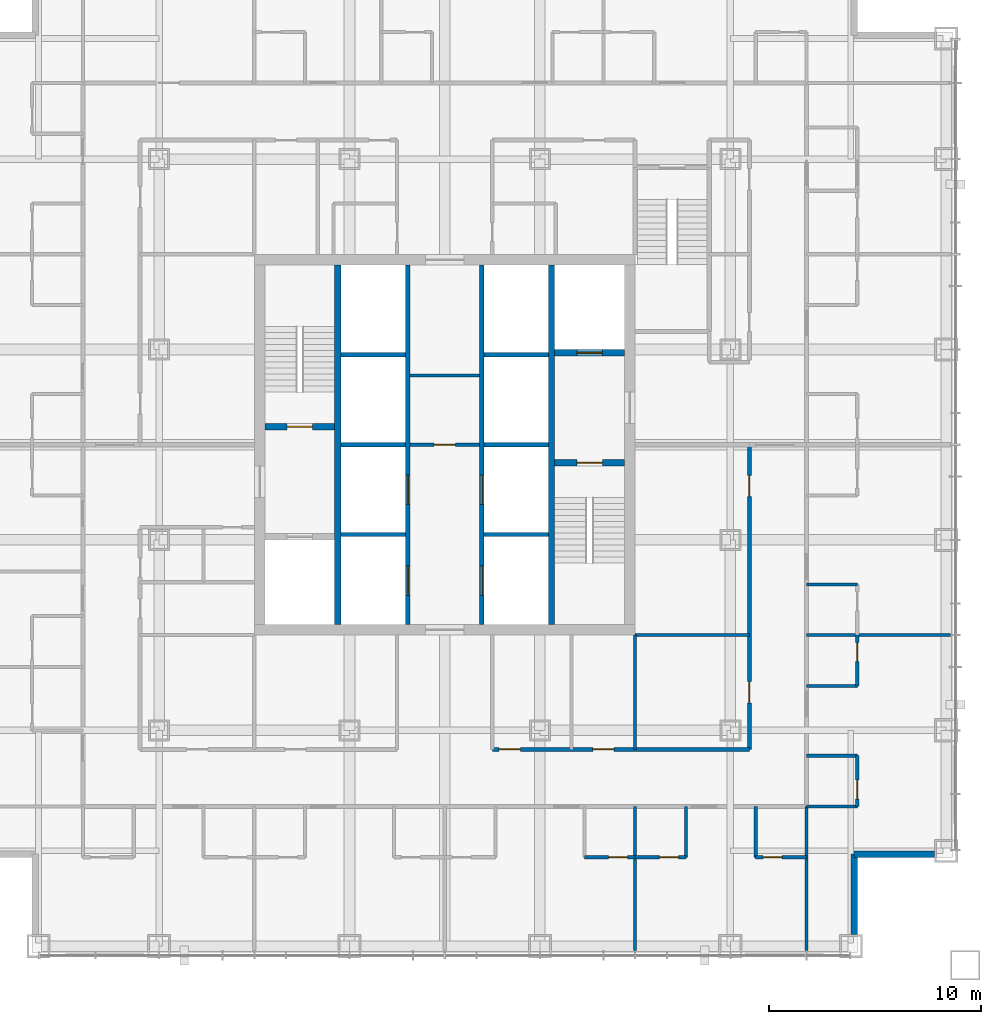
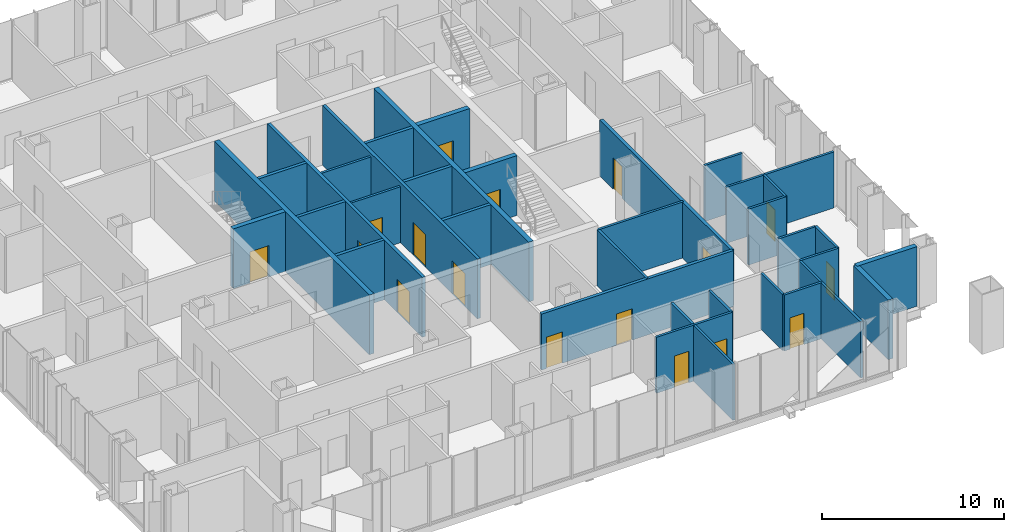
# One storey, part 10 of 14: 35 walls, 17 doors, 17 openings.
"""IFC4 building model written with IfcOpenShell, lengths in metres."""

from ifc_helpers import new_model, si_unit, direction, frame, frame_2d, origin, place, context, subcontext, project, spatial, rectangle, extrude, material, layer, layer_set, type_object, element, fill, save


model = new_model("IFC4")

# Units and contexts
model_context = context("Model", 3, precision=1e-05, world=origin(), true_north=direction((0.0, 1.0)))
body_context = subcontext(model_context, "Body", "Model", "MODEL_VIEW")
ifc_project = project(units=[si_unit("LENGTHUNIT", "METRE"), si_unit("AREAUNIT", "SQUARE_METRE"), si_unit("VOLUMEUNIT", "CUBIC_METRE"), si_unit("PLANEANGLEUNIT", "RADIAN"), si_unit("MASSUNIT", "GRAM", prefix="KILO")], contexts=[model_context])

# Site, building, storey
site_placement = place(None, origin())
site = spatial("IfcSite", under=ifc_project, at=site_placement, CompositionType="ELEMENT")
building_placement = place(site_placement, origin())
building = spatial("IfcBuilding", under=site, at=building_placement, Name="Malebo Sky Hospital", CompositionType="ELEMENT")
storey_placement = place(building_placement, frame((0.0, 0.0, 164.0)))
storey = spatial("IfcBuildingStorey", under=building, at=storey_placement, Name="L39", CompositionType="ELEMENT", Elevation=164.0)

# Wall, openings, doors
ifc_material_1 = material(Name="Concrete C80/95", Category="concrete")
ifc_layer_1 = layer(ifc_material_1, 0.199951171875)
ifc_layer_set_1 = layer_set([ifc_layer_1], Name="CORE INNER WALL 200")
wall_type_1 = type_object("IfcWallType", Name="CORE INNER WALL 200", PredefinedType="SHEAR", material=ifc_layer_set_1)
wall_1_placement = place(storey_placement, frame((58.25, 53.5, 0.0), z_axis=(0.0, 0.0, 1.0), x_axis=(0.0, 1.0, 0.0)))
wall_1 = element("IfcWall", 1, at=wall_1_placement, inside=storey, type_object=wall_type_1, Name="Core wall LW L39", PredefinedType="SHEAR", context=body_context, shape_type="SweptSolid", body=[
    extrude(rectangle(XDim=17.0, YDim=0.199951171875, at=frame_2d((8.5, 0.0))), origin(), (0.0, 0.0, 1.0), 4.0),
])
opening_1_placement = place(wall_1_placement, frame((1.375, 0.0, 0.0)))
opening_1 = element("IfcOpeningElement", 2, at=opening_1_placement, cuts=wall_1, Name="Opening LD1", PredefinedType="OPENING", context=body_context, shape_type="SweptSolid", body=[
    extrude(rectangle(XDim=1.39990234375, YDim=2.199951171875, at=frame_2d((0.699951171875, 1.10009765625))), frame((0.0, 0.10986328125, 0.0), z_axis=(0.0, -1.0, 0.0), x_axis=(1.0, 0.0, 0.0)), (0.0, 0.0, 1.0), 0.219970703125),
])
opening_2_placement = place(wall_1_placement, frame((5.675048828125, 0.0, 0.0)))
opening_2 = element("IfcOpeningElement", 3, at=opening_2_placement, cuts=wall_1, Name="Opening LD1", PredefinedType="OPENING", context=body_context, shape_type="SweptSolid", body=[
    extrude(rectangle(XDim=1.39990234375, YDim=2.199951171875, at=frame_2d((0.699951171875, 1.10009765625))), frame((0.0, 0.10986328125, 0.0), z_axis=(0.0, -1.0, 0.0), x_axis=(1.0, 0.0, 0.0)), (0.0, 0.0, 1.0), 0.219970703125),
])
ifc_material_2 = material(Name="Stainless steel sliding landing door", Category="steel")
door_type_1 = type_object("IfcDoorType", Name="LIFT LANDING DOOR 1400", OperationType="SLIDING_TO_LEFT", PredefinedType="DOOR", material=ifc_material_2)
door_1_placement = place(opening_1_placement, origin())
door_1 = element("IfcDoor", 4, at=door_1_placement, inside=storey, type_object=door_type_1, Name="Lift W1 landing door", OperationType="SLIDING_TO_LEFT", OverallHeight=2.199951171875, OverallWidth=1.39990234375, PredefinedType="DOOR", context=body_context, shape_type="SweptSolid", body=[
    extrude(rectangle(XDim=1.39990234375, YDim=2.199951171875, at=frame_2d((0.699951171875, 1.10009765625))), frame((0.0, 0.02490234375, 0.0), z_axis=(0.0, -1.0, 0.0), x_axis=(1.0, 0.0, 0.0)), (0.0, 0.0, 1.0), 0.050048828125),
])
fill(opening_1, door_1)
door_2_placement = place(opening_2_placement, origin())
door_2 = element("IfcDoor", 5, at=door_2_placement, inside=storey, type_object=door_type_1, Name="Lift W2 landing door", OperationType="SLIDING_TO_LEFT", OverallHeight=2.199951171875, OverallWidth=1.39990234375, PredefinedType="DOOR", context=body_context, shape_type="SweptSolid", body=[
    extrude(rectangle(XDim=1.39990234375, YDim=2.199951171875, at=frame_2d((0.699951171875, 1.10009765625))), frame((0.0, 0.02490234375, 0.0), z_axis=(0.0, -1.0, 0.0), x_axis=(1.0, 0.0, 0.0)), (0.0, 0.0, 1.0), 0.050048828125),
])
fill(opening_2, door_2)

wall_2_placement = place(storey_placement, frame((61.75, 53.5, 0.0), z_axis=(0.0, 0.0, 1.0), x_axis=(0.0, 1.0, 0.0)))
wall_2 = element("IfcWall", 6, at=wall_2_placement, inside=storey, type_object=wall_type_1, Name="Core wall LE L39", PredefinedType="SHEAR", context=body_context, shape_type="SweptSolid", body=[
    extrude(rectangle(XDim=17.0, YDim=0.199951171875, at=frame_2d((8.5, 0.0))), origin(), (0.0, 0.0, 1.0), 4.0),
])
opening_3_placement = place(wall_2_placement, frame((1.375, 0.0, 0.0)))
opening_3 = element("IfcOpeningElement", 7, at=opening_3_placement, cuts=wall_2, Name="Opening LD1", PredefinedType="OPENING", context=body_context, shape_type="SweptSolid", body=[
    extrude(rectangle(XDim=1.39990234375, YDim=2.199951171875, at=frame_2d((0.699951171875, 1.10009765625))), frame((0.0, 0.10986328125, 0.0), z_axis=(0.0, -1.0, 0.0), x_axis=(1.0, 0.0, 0.0)), (0.0, 0.0, 1.0), 0.219970703125),
])
opening_4_placement = place(wall_2_placement, frame((5.675048828125, 0.0, 0.0)))
opening_4 = element("IfcOpeningElement", 8, at=opening_4_placement, cuts=wall_2, Name="Opening LD1", PredefinedType="OPENING", context=body_context, shape_type="SweptSolid", body=[
    extrude(rectangle(XDim=1.39990234375, YDim=2.199951171875, at=frame_2d((0.699951171875, 1.10009765625))), frame((0.0, 0.10986328125, 0.0), z_axis=(0.0, -1.0, 0.0), x_axis=(1.0, 0.0, 0.0)), (0.0, 0.0, 1.0), 0.219970703125),
])
door_3_placement = place(opening_3_placement, origin())
door_3 = element("IfcDoor", 9, at=door_3_placement, inside=storey, type_object=door_type_1, Name="Lift E1 landing door", OperationType="SLIDING_TO_LEFT", OverallHeight=2.199951171875, OverallWidth=1.39990234375, PredefinedType="DOOR", context=body_context, shape_type="SweptSolid", body=[
    extrude(rectangle(XDim=1.39990234375, YDim=2.199951171875, at=frame_2d((0.699951171875, 1.10009765625))), frame((0.0, 0.02490234375, 0.0), z_axis=(0.0, -1.0, 0.0), x_axis=(1.0, 0.0, 0.0)), (0.0, 0.0, 1.0), 0.050048828125),
])
fill(opening_3, door_3)
door_4_placement = place(opening_4_placement, origin())
door_4 = element("IfcDoor", 10, at=door_4_placement, inside=storey, type_object=door_type_1, Name="Lift E2 landing door", OperationType="SLIDING_TO_LEFT", OverallHeight=2.199951171875, OverallWidth=1.39990234375, PredefinedType="DOOR", context=body_context, shape_type="SweptSolid", body=[
    extrude(rectangle(XDim=1.39990234375, YDim=2.199951171875, at=frame_2d((0.699951171875, 1.10009765625))), frame((0.0, 0.02490234375, 0.0), z_axis=(0.0, -1.0, 0.0), x_axis=(1.0, 0.0, 0.0)), (0.0, 0.0, 1.0), 0.050048828125),
])
fill(opening_4, door_4)

# Walls
for number, where, z_axis, x_axis, name in (
    (11, (55.10009765625, 57.75, 0.0), (0.0, 0.0, 1.0), (1.0, 0.0, 0.0), "Core wall SW0 L39"),
    (12, (61.85009765625, 57.75, 0.0), (0.0, 0.0, 1.0), (1.0, 0.0, 0.0), "Core wall SE0 L39"),
    (13, (55.10009765625, 62.0, 0.0), (0.0, 0.0, 1.0), (1.0, 0.0, 0.0), "Core wall SW1 L39"),
    (14, (61.85009765625, 62.0, 0.0), (0.0, 0.0, 1.0), (1.0, 0.0, 0.0), "Core wall SE1 L39"),
    (15, (55.10009765625, 66.25, 0.0), (0.0, 0.0, 1.0), (1.0, 0.0, 0.0), "Core wall SW2 L39"),
    (16, (61.85009765625, 66.25, 0.0), (0.0, 0.0, 1.0), (1.0, 0.0, 0.0), "Core wall SE2 L39"),
):
    element("IfcWall", number, at=place(storey_placement, frame(where, z_axis=z_axis, x_axis=x_axis)), inside=storey, type_object=wall_type_1, Name=name, PredefinedType="SHEAR", context=body_context, shape_type="SweptSolid", body=[
        extrude(rectangle(XDim=3.0498046875, YDim=0.199951171875, at=frame_2d((1.52490234375, 0.0))), origin(), (0.0, 0.0, 1.0), 4.0),
    ])
ifc_layer_2 = layer(ifc_material_1, 0.300048828125)
ifc_layer_set_2 = layer_set([ifc_layer_2], Name="CORE INNER WALL 300")
wall_type_2 = type_object("IfcWallType", Name="CORE INNER WALL 300", PredefinedType="SHEAR", material=ifc_layer_set_2)
for number, where, z_axis, x_axis, name in (
    (17, (54.949951171875, 53.5, 0.0), (0.0, 0.0, 1.0), (0.0, 1.0, 0.0), "Core wall XW L39"),
    (18, (65.050048828125, 53.5, 0.0), (0.0, 0.0, 1.0), (0.0, 1.0, 0.0), "Core wall XE L39"),
):
    element("IfcWall", number, at=place(storey_placement, frame(where, z_axis=z_axis, x_axis=x_axis)), inside=storey, type_object=wall_type_2, Name=name, PredefinedType="SHEAR", context=body_context, shape_type="SweptSolid", body=[
        extrude(rectangle(XDim=17.0, YDim=0.300048828125, at=frame_2d((8.5, 0.0))), origin(), (0.0, 0.0, 1.0), 4.0),
    ])

# Wall, opening, door
wall_3_placement = place(storey_placement, frame((51.5, 62.85009765625, 0.0), z_axis=(0.0, 0.0, 1.0), x_axis=(1.0, 0.0, 0.0)))
wall_3 = element("IfcWall", 19, at=wall_3_placement, inside=storey, type_object=wall_type_2, Name="Core wall W1 L39", PredefinedType="SHEAR", context=body_context, shape_type="SweptSolid", body=[
    extrude(rectangle(XDim=3.300048828125, YDim=0.300048828125, at=frame_2d((1.64990234375, 0.0))), origin(), (0.0, 0.0, 1.0), 4.0),
])
opening_5_placement = place(wall_3_placement, frame((1.050048828125, 0.0, 0.0)))
opening_5 = element("IfcOpeningElement", 20, at=opening_5_placement, cuts=wall_3, Name="Opening D08", PredefinedType="OPENING", context=body_context, shape_type="SweptSolid", body=[
    extrude(rectangle(XDim=1.199951171875, YDim=2.10009765625, at=frame_2d((0.60009765625, 1.050048828125))), frame((0.0, 0.159912109375, 0.0), z_axis=(0.0, -1.0, 0.0), x_axis=(1.0, 0.0, 0.0)), (0.0, 0.0, 1.0), 0.320068359375),
])
ifc_material_3 = material(Name="Hardwood-faced door leaf in steel frame", Category="steel")
door_type_2 = type_object("IfcDoorType", Name="STAIR DOOR 1200", OperationType="SINGLE_SWING_LEFT", PredefinedType="DOOR", material=ifc_material_3)
door_5_placement = place(opening_5_placement, origin())
door_5 = element("IfcDoor", 21, at=door_5_placement, inside=storey, type_object=door_type_2, Name="Stair S1 door", OperationType="SINGLE_SWING_LEFT", OverallHeight=2.10009765625, OverallWidth=1.199951171875, PredefinedType="DOOR", context=body_context, shape_type="SweptSolid", body=[
    extrude(rectangle(XDim=1.199951171875, YDim=2.10009765625, at=frame_2d((0.60009765625, 1.050048828125))), frame((0.0, 0.02490234375, 0.0), z_axis=(0.0, -1.0, 0.0), x_axis=(1.0, 0.0, 0.0)), (0.0, 0.0, 1.0), 0.050048828125),
])
fill(opening_5, door_5)

wall_4_placement = place(storey_placement, frame((65.199951171875, 61.14990234375, 0.0), z_axis=(0.0, 0.0, 1.0), x_axis=(1.0, 0.0, 0.0)))
wall_4 = element("IfcWall", 22, at=wall_4_placement, inside=storey, type_object=wall_type_2, Name="Core wall E1 L39", PredefinedType="SHEAR", context=body_context, shape_type="SweptSolid", body=[
    extrude(rectangle(XDim=3.300048828125, YDim=0.300048828125, at=frame_2d((1.64990234375, 0.0))), origin(), (0.0, 0.0, 1.0), 4.0),
])
opening_6_placement = place(wall_4_placement, frame((1.050048828125, 0.0, 0.0)))
opening_6 = element("IfcOpeningElement", 23, at=opening_6_placement, cuts=wall_4, Name="Opening D08", PredefinedType="OPENING", context=body_context, shape_type="SweptSolid", body=[
    extrude(rectangle(XDim=1.199951171875, YDim=2.10009765625, at=frame_2d((0.60009765625, 1.050048828125))), frame((0.0, 0.159912109375, 0.0), z_axis=(0.0, -1.0, 0.0), x_axis=(1.0, 0.0, 0.0)), (0.0, 0.0, 1.0), 0.320068359375),
])
door_6_placement = place(opening_6_placement, origin())
door_6 = element("IfcDoor", 24, at=door_6_placement, inside=storey, type_object=door_type_2, Name="Stair S2 door", OperationType="SINGLE_SWING_LEFT", OverallHeight=2.10009765625, OverallWidth=1.199951171875, PredefinedType="DOOR", context=body_context, shape_type="SweptSolid", body=[
    extrude(rectangle(XDim=1.199951171875, YDim=2.10009765625, at=frame_2d((0.60009765625, 1.050048828125))), frame((0.0, 0.02490234375, 0.0), z_axis=(0.0, -1.0, 0.0), x_axis=(1.0, 0.0, 0.0)), (0.0, 0.0, 1.0), 0.050048828125),
])
fill(opening_6, door_6)

wall_5_placement = place(storey_placement, frame((65.199951171875, 66.35009765625, 0.0), z_axis=(0.0, 0.0, 1.0), x_axis=(1.0, 0.0, 0.0)))
wall_5 = element("IfcWall", 25, at=wall_5_placement, inside=storey, type_object=wall_type_2, Name="Core wall E2 L39", PredefinedType="SHEAR", context=body_context, shape_type="SweptSolid", body=[
    extrude(rectangle(XDim=3.300048828125, YDim=0.300048828125, at=frame_2d((1.64990234375, 0.0))), origin(), (0.0, 0.0, 1.0), 4.0),
])
opening_7_placement = place(wall_5_placement, frame((1.050048828125, 0.0, 0.0)))
opening_7 = element("IfcOpeningElement", 26, at=opening_7_placement, cuts=wall_5, Name="Opening LD2", PredefinedType="OPENING", context=body_context, shape_type="SweptSolid", body=[
    extrude(rectangle(XDim=1.199951171875, YDim=2.199951171875, at=frame_2d((0.60009765625, 1.10009765625))), frame((0.0, 0.159912109375, 0.0), z_axis=(0.0, -1.0, 0.0), x_axis=(1.0, 0.0, 0.0)), (0.0, 0.0, 1.0), 0.320068359375),
])
door_type_3 = type_object("IfcDoorType", Name="FIRE-FIGHTING LIFT LANDING DOOR 1200", OperationType="SLIDING_TO_LEFT", PredefinedType="DOOR", material=ifc_material_2)
door_7_placement = place(opening_7_placement, origin())
door_7 = element("IfcDoor", 27, at=door_7_placement, inside=storey, type_object=door_type_3, Name="Lift FL2 landing door", OperationType="SLIDING_TO_LEFT", OverallHeight=2.199951171875, OverallWidth=1.199951171875, PredefinedType="DOOR", context=body_context, shape_type="SweptSolid", body=[
    extrude(rectangle(XDim=1.199951171875, YDim=2.199951171875, at=frame_2d((0.60009765625, 1.10009765625))), frame((0.0, 0.02490234375, 0.0), z_axis=(0.0, -1.0, 0.0), x_axis=(1.0, 0.0, 0.0)), (0.0, 0.0, 1.0), 0.050048828125),
])
fill(opening_7, door_7)

# Wall, openings, doors
ifc_material_4 = material(Name="Gypsum board on steel studs", Category="steel")
ifc_layer_3 = layer(ifc_material_4, 0.199951171875)
ifc_layer_set_3 = layer_set([ifc_layer_3], Name="CORRIDOR WALL 200")
wall_type_3 = type_object("IfcWallType", Name="CORRIDOR WALL 200", PredefinedType="PARTITIONING", material=ifc_layer_set_3)
wall_6_placement = place(storey_placement, frame((74.39990234375, 47.60009765625, 0.0), z_axis=(0.0, 0.0, 1.0), x_axis=(-1.0, 0.0, 0.0)))
wall_6 = element("IfcWall", 28, at=wall_6_placement, inside=storey, type_object=wall_type_3, Name="Corridor Wall 200 SCI1", PredefinedType="PARTITIONING", context=body_context, shape_type="SweptSolid", body=[
    extrude(rectangle(XDim=12.14990234375, YDim=0.199951171875, at=frame_2d((6.074951171875, 0.0))), origin(), (0.0, 0.0, 1.0), 3.75),
])
opening_8_placement = place(wall_6_placement, frame((6.39990234375, 0.0, 0.0)))
opening_8 = element("IfcOpeningElement", 29, at=opening_8_placement, cuts=wall_6, Name="Opening D03", PredefinedType="OPENING", context=body_context, shape_type="SweptSolid", body=[
    extrude(rectangle(XDim=1.0, YDim=2.10009765625, at=frame_2d((0.5, 1.050048828125))), frame((0.0, 0.10986328125, 0.0), z_axis=(0.0, -1.0, 0.0), x_axis=(1.0, 0.0, 0.0)), (0.0, 0.0, 1.0), 0.219970703125),
])
opening_9_placement = place(wall_6_placement, frame((10.824951171875, 0.0, 0.0)))
opening_9 = element("IfcOpeningElement", 30, at=opening_9_placement, cuts=wall_6, Name="Opening D03", PredefinedType="OPENING", context=body_context, shape_type="SweptSolid", body=[
    extrude(rectangle(XDim=1.0, YDim=2.10009765625, at=frame_2d((0.5, 1.050048828125))), frame((0.0, 0.10986328125, 0.0), z_axis=(0.0, -1.0, 0.0), x_axis=(1.0, 0.0, 0.0)), (0.0, 0.0, 1.0), 0.219970703125),
])
door_type_4 = type_object("IfcDoorType", Name="ROOM DOOR 1000", OperationType="SINGLE_SWING_LEFT", PredefinedType="DOOR", material=ifc_material_3)
door_8_placement = place(opening_8_placement, origin())
door_8 = element("IfcDoor", 31, at=door_8_placement, inside=storey, type_object=door_type_4, Name="Clean utility room door", OperationType="SINGLE_SWING_LEFT", OverallHeight=2.10009765625, OverallWidth=1.0, PredefinedType="DOOR", context=body_context, shape_type="SweptSolid", body=[
    extrude(rectangle(XDim=1.0, YDim=2.10009765625, at=frame_2d((0.5, 1.050048828125))), frame((0.0, 0.02490234375, 0.0), z_axis=(0.0, -1.0, 0.0), x_axis=(1.0, 0.0, 0.0)), (0.0, 0.0, 1.0), 0.050048828125),
])
fill(opening_8, door_8)
door_9_placement = place(opening_9_placement, origin())
door_9 = element("IfcDoor", 32, at=door_9_placement, inside=storey, type_object=door_type_4, Name="Patient education room door", OperationType="SINGLE_SWING_RIGHT", OverallHeight=2.10009765625, OverallWidth=1.0, PredefinedType="DOOR", context=body_context, shape_type="SweptSolid", body=[
    extrude(rectangle(XDim=1.0, YDim=2.10009765625, at=frame_2d((0.5, 1.050048828125))), frame((0.0, 0.02490234375, 0.0), z_axis=(0.0, -1.0, 0.0), x_axis=(1.0, 0.0, 0.0)), (0.0, 0.0, 1.0), 0.050048828125),
])
fill(opening_9, door_9)

wall_7_placement = place(storey_placement, frame((74.39990234375, 62.0, 0.0), z_axis=(0.0, 0.0, 1.0), x_axis=(0.0, -1.0, 0.0)))
wall_7 = element("IfcWall", 33, at=wall_7_placement, inside=storey, type_object=wall_type_3, Name="Corridor Wall 200 ECI2", PredefinedType="PARTITIONING", context=body_context, shape_type="SweptSolid", body=[
    extrude(rectangle(XDim=14.39990234375, YDim=0.199951171875, at=frame_2d((7.199951171875, 0.0))), origin(), (0.0, 0.0, 1.0), 3.75),
])
opening_10_placement = place(wall_7_placement, frame((1.449951171875, 0.0, 0.0)))
opening_10 = element("IfcOpeningElement", 34, at=opening_10_placement, cuts=wall_7, Name="Opening D03", PredefinedType="OPENING", context=body_context, shape_type="SweptSolid", body=[
    extrude(rectangle(XDim=1.0, YDim=2.10009765625, at=frame_2d((0.5, 1.050048828125))), frame((0.0, 0.10986328125, 0.0), z_axis=(0.0, -1.0, 0.0), x_axis=(1.0, 0.0, 0.0)), (0.0, 0.0, 1.0), 0.219970703125),
])
opening_11_placement = place(wall_7_placement, frame((11.199951171875, 0.0, 0.0)))
opening_11 = element("IfcOpeningElement", 35, at=opening_11_placement, cuts=wall_7, Name="Opening D03", PredefinedType="OPENING", context=body_context, shape_type="SweptSolid", body=[
    extrude(rectangle(XDim=1.0, YDim=2.10009765625, at=frame_2d((0.5, 1.050048828125))), frame((0.0, 0.10986328125, 0.0), z_axis=(0.0, -1.0, 0.0), x_axis=(1.0, 0.0, 0.0)), (0.0, 0.0, 1.0), 0.219970703125),
])
door_10_placement = place(opening_10_placement, origin())
door_10 = element("IfcDoor", 36, at=door_10_placement, inside=storey, type_object=door_type_4, Name="Staff rest room door", OperationType="SINGLE_SWING_LEFT", OverallHeight=2.10009765625, OverallWidth=1.0, PredefinedType="DOOR", context=body_context, shape_type="SweptSolid", body=[
    extrude(rectangle(XDim=1.0, YDim=2.10009765625, at=frame_2d((0.5, 1.050048828125))), frame((0.0, 0.02490234375, 0.0), z_axis=(0.0, -1.0, 0.0), x_axis=(1.0, 0.0, 0.0)), (0.0, 0.0, 1.0), 0.050048828125),
])
fill(opening_10, door_10)
door_11_placement = place(opening_11_placement, origin())
door_11 = element("IfcDoor", 37, at=door_11_placement, inside=storey, type_object=door_type_4, Name="Interview room door", OperationType="SINGLE_SWING_RIGHT", OverallHeight=2.10009765625, OverallWidth=1.0, PredefinedType="DOOR", context=body_context, shape_type="SweptSolid", body=[
    extrude(rectangle(XDim=1.0, YDim=2.10009765625, at=frame_2d((0.5, 1.050048828125))), frame((0.0, 0.02490234375, 0.0), z_axis=(0.0, -1.0, 0.0), x_axis=(1.0, 0.0, 0.0)), (0.0, 0.0, 1.0), 0.050048828125),
])
fill(opening_11, door_11)

# Walls
ifc_material_5 = material(Name="Anodised aluminium rainscreen on steel framing", Category="steel")
ifc_layer_4 = layer(ifc_material_5, 0.300048828125)
ifc_layer_set_4 = layer_set([ifc_layer_4], Name="NOTCH RAINSCREEN WALL 300")
wall_type_4 = type_object("IfcWallType", Name="NOTCH RAINSCREEN WALL 300", PredefinedType="ELEMENTEDWALL", material=ifc_layer_set_4)
for number, where, z_axis, x_axis, name in (
    (38, (83.14990234375, 42.64990234375, 0.0), (0.0, 0.0, 1.0), (-1.0, 0.0, 0.0), "Notch rainscreen wall E1 L39"),
    (39, (79.35009765625, 42.64990234375, 0.0), (0.0, 0.0, 1.0), (0.0, -1.0, 0.0), "Notch rainscreen wall E2 L39"),
):
    element("IfcWall", number, at=place(storey_placement, frame(where, z_axis=z_axis, x_axis=x_axis)), inside=storey, type_object=wall_type_4, Name=name, PredefinedType="ELEMENTEDWALL", context=body_context, shape_type="SweptSolid", body=[
        extrude(rectangle(XDim=3.7998046875, YDim=0.300048828125, at=frame_2d((1.89990234375, 0.0))), origin(), (0.0, 0.0, 1.0), 4.0),
    ])
ifc_layer_5 = layer(ifc_material_4, 0.14990234375)
ifc_layer_set_5 = layer_set([ifc_layer_5], Name="PARTITION 150")
wall_type_5 = type_object("IfcWallType", Name="PARTITION 150", PredefinedType="PARTITIONING", material=ifc_layer_set_5)
for number, where, z_axis, x_axis, name in (
    (40, (69.0, 44.89990234375, 0.0), (0.0, 0.0, 1.0), (0.0, -1.0, 0.0), "Partition 150 SP-9.0"),
    (41, (77.10009765625, 44.89990234375, 0.0), (0.0, 0.0, 1.0), (0.0, -1.0, 0.0), "Partition 150 SP0"),
):
    element("IfcWall", number, at=place(storey_placement, frame(where, z_axis=z_axis, x_axis=x_axis)), inside=storey, type_object=wall_type_5, Name=name, PredefinedType="PARTITIONING", context=body_context, shape_type="SweptSolid", body=[
        extrude(rectangle(XDim=6.809814453125, YDim=0.14990234375, at=frame_2d((3.40478515625, 0.0))), origin(), (0.0, 0.0, 1.0), 3.75),
    ])

# Wall, opening, door
wall_8_placement = place(storey_placement, frame((71.39990234375, 42.5, 0.0), z_axis=(0.0, 0.0, 1.0), x_axis=(-1.0, 0.0, 0.0)))
wall_8 = element("IfcWall", 42, at=wall_8_placement, inside=storey, type_object=wall_type_5, Name="Partition 150 SE0F", PredefinedType="PARTITIONING", context=body_context, shape_type="SweptSolid", body=[
    extrude(rectangle(XDim=2.39990234375, YDim=0.14990234375, at=frame_2d((1.199951171875, 0.0))), origin(), (0.0, 0.0, 1.0), 3.75),
])
opening_12_placement = place(wall_8_placement, frame((0.35009765625, 0.0, 0.0)))
opening_12 = element("IfcOpeningElement", 43, at=opening_12_placement, cuts=wall_8, Name="Opening D02", PredefinedType="OPENING", context=body_context, shape_type="SweptSolid", body=[
    extrude(rectangle(XDim=0.89990234375, YDim=2.10009765625, at=frame_2d((0.449951171875, 1.050048828125))), frame((0.0, 0.0849609375, 0.0), z_axis=(0.0, -1.0, 0.0), x_axis=(1.0, 0.0, 0.0)), (0.0, 0.0, 1.0), 0.169921875),
])
door_type_5 = type_object("IfcDoorType", Name="EN-SUITE DOOR 900", OperationType="SINGLE_SWING_LEFT", PredefinedType="DOOR", material=ifc_material_3)
door_12_placement = place(opening_12_placement, origin())
door_12 = element("IfcDoor", 44, at=door_12_placement, inside=storey, type_object=door_type_5, Name="En-suite door", OperationType="SINGLE_SWING_LEFT", OverallHeight=2.10009765625, OverallWidth=0.89990234375, PredefinedType="DOOR", context=body_context, shape_type="SweptSolid", body=[
    extrude(rectangle(XDim=0.89990234375, YDim=2.10009765625, at=frame_2d((0.449951171875, 1.050048828125))), frame((0.0, 0.02490234375, 0.0), z_axis=(0.0, -1.0, 0.0), x_axis=(1.0, 0.0, 0.0)), (0.0, 0.0, 1.0), 0.050048828125),
])
fill(opening_12, door_12)

# Wall
wall_9_placement = place(storey_placement, frame((71.39990234375, 44.89990234375, 0.0), z_axis=(0.0, 0.0, 1.0), x_axis=(0.0, -1.0, 0.0)))
element("IfcWall", 45, at=wall_9_placement, inside=storey, type_object=wall_type_5, Name="Partition 150 SE0S", PredefinedType="PARTITIONING", context=body_context, shape_type="SweptSolid", body=[
    extrude(rectangle(XDim=2.39990234375, YDim=0.14990234375, at=frame_2d((1.199951171875, 0.0))), origin(), (0.0, 0.0, 1.0), 3.75),
])

# Wall, opening, door
wall_10_placement = place(storey_placement, frame((77.10009765625, 42.5, 0.0), z_axis=(0.0, 0.0, 1.0), x_axis=(-1.0, 0.0, 0.0)))
wall_10 = element("IfcWall", 46, at=wall_10_placement, inside=storey, type_object=wall_type_5, Name="Partition 150 SG0F", PredefinedType="PARTITIONING", context=body_context, shape_type="SweptSolid", body=[
    extrude(rectangle(XDim=2.400146484375, YDim=0.14990234375, at=frame_2d((1.2001953125, 0.0))), origin(), (0.0, 0.0, 1.0), 3.75),
])
opening_13_placement = place(wall_10_placement, frame((1.14990234375, 0.0, 0.0)))
opening_13 = element("IfcOpeningElement", 47, at=opening_13_placement, cuts=wall_10, Name="Opening D02", PredefinedType="OPENING", context=body_context, shape_type="SweptSolid", body=[
    extrude(rectangle(XDim=0.89990234375, YDim=2.10009765625, at=frame_2d((0.449951171875, 1.050048828125))), frame((0.0, 0.0849609375, 0.0), z_axis=(0.0, -1.0, 0.0), x_axis=(1.0, 0.0, 0.0)), (0.0, 0.0, 1.0), 0.169921875),
])
door_13_placement = place(opening_13_placement, origin())
door_13 = element("IfcDoor", 48, at=door_13_placement, inside=storey, type_object=door_type_5, Name="En-suite door", OperationType="SINGLE_SWING_RIGHT", OverallHeight=2.10009765625, OverallWidth=0.89990234375, PredefinedType="DOOR", context=body_context, shape_type="SweptSolid", body=[
    extrude(rectangle(XDim=0.89990234375, YDim=2.10009765625, at=frame_2d((0.449951171875, 1.050048828125))), frame((0.0, 0.02490234375, 0.0), z_axis=(0.0, -1.0, 0.0), x_axis=(1.0, 0.0, 0.0)), (0.0, 0.0, 1.0), 0.050048828125),
])
fill(opening_13, door_13)

# Wall
wall_11_placement = place(storey_placement, frame((74.699951171875, 44.89990234375, 0.0), z_axis=(0.0, 0.0, 1.0), x_axis=(0.0, -1.0, 0.0)))
element("IfcWall", 49, at=wall_11_placement, inside=storey, type_object=wall_type_5, Name="Partition 150 SG0S", PredefinedType="PARTITIONING", context=body_context, shape_type="SweptSolid", body=[
    extrude(rectangle(XDim=2.39990234375, YDim=0.14990234375, at=frame_2d((1.199951171875, 0.0))), origin(), (0.0, 0.0, 1.0), 3.75),
])

# Wall, opening, door
wall_12_placement = place(storey_placement, frame((69.0, 42.5, 0.0), z_axis=(0.0, 0.0, 1.0), x_axis=(-1.0, 0.0, 0.0)))
wall_12 = element("IfcWall", 50, at=wall_12_placement, inside=storey, type_object=wall_type_5, Name="Partition 150 SE1F", PredefinedType="PARTITIONING", context=body_context, shape_type="SweptSolid", body=[
    extrude(rectangle(XDim=2.39990234375, YDim=0.14990234375, at=frame_2d((1.199951171875, 0.0))), origin(), (0.0, 0.0, 1.0), 3.75),
])
opening_14_placement = place(wall_12_placement, frame((0.35009765625, 0.0, 0.0)))
opening_14 = element("IfcOpeningElement", 51, at=opening_14_placement, cuts=wall_12, Name="Opening D02", PredefinedType="OPENING", context=body_context, shape_type="SweptSolid", body=[
    extrude(rectangle(XDim=0.89990234375, YDim=2.10009765625, at=frame_2d((0.449951171875, 1.050048828125))), frame((0.0, 0.0849609375, 0.0), z_axis=(0.0, -1.0, 0.0), x_axis=(1.0, 0.0, 0.0)), (0.0, 0.0, 1.0), 0.169921875),
])
door_14_placement = place(opening_14_placement, origin())
door_14 = element("IfcDoor", 52, at=door_14_placement, inside=storey, type_object=door_type_5, Name="En-suite door", OperationType="SINGLE_SWING_LEFT", OverallHeight=2.10009765625, OverallWidth=0.89990234375, PredefinedType="DOOR", context=body_context, shape_type="SweptSolid", body=[
    extrude(rectangle(XDim=0.89990234375, YDim=2.10009765625, at=frame_2d((0.449951171875, 1.050048828125))), frame((0.0, 0.02490234375, 0.0), z_axis=(0.0, -1.0, 0.0), x_axis=(1.0, 0.0, 0.0)), (0.0, 0.0, 1.0), 0.050048828125),
])
fill(opening_14, door_14)

# Walls
wall_13_placement = place(storey_placement, frame((69.0, 53.0, 0.0), z_axis=(0.0, 0.0, 1.0), x_axis=(0.0, -1.0, 0.0)))
element("IfcWall", 53, at=wall_13_placement, inside=storey, type_object=wall_type_5, Name="Partition 150 SSP0", PredefinedType="PARTITIONING", context=body_context, shape_type="SweptSolid", body=[
    extrude(rectangle(XDim=5.39990234375, YDim=0.14990234375, at=frame_2d((2.699951171875, 0.0))), origin(), (0.0, 0.0, 1.0), 3.75),
])
wall_14_placement = place(storey_placement, frame((77.10009765625, 53.0, 0.0), z_axis=(0.0, 0.0, 1.0), x_axis=(1.0, 0.0, 0.0)))
element("IfcWall", 54, at=wall_14_placement, inside=storey, type_object=wall_type_5, Name="Partition 150 EP+9.0", PredefinedType="PARTITIONING", context=body_context, shape_type="SweptSolid", body=[
    extrude(rectangle(XDim=6.809814453125, YDim=0.14990234375, at=frame_2d((3.40478515625, 0.0))), origin(), (0.0, 0.0, 1.0), 3.75),
])
wall_15_placement = place(storey_placement, frame((77.10009765625, 55.39990234375, 0.0), z_axis=(0.0, 0.0, 1.0), x_axis=(1.0, 0.0, 0.0)))
element("IfcWall", 55, at=wall_15_placement, inside=storey, type_object=wall_type_5, Name="Partition 150 EE2S", PredefinedType="PARTITIONING", context=body_context, shape_type="SweptSolid", body=[
    extrude(rectangle(XDim=2.39990234375, YDim=0.14990234375, at=frame_2d((1.199951171875, 0.0))), origin(), (0.0, 0.0, 1.0), 3.75),
])

# Wall, opening, door
wall_16_placement = place(storey_placement, frame((79.5, 53.0, 0.0), z_axis=(0.0, 0.0, 1.0), x_axis=(0.0, -1.0, 0.0)))
wall_16 = element("IfcWall", 56, at=wall_16_placement, inside=storey, type_object=wall_type_5, Name="Partition 150 EE3F", PredefinedType="PARTITIONING", context=body_context, shape_type="SweptSolid", body=[
    extrude(rectangle(XDim=2.39990234375, YDim=0.14990234375, at=frame_2d((1.199951171875, 0.0))), origin(), (0.0, 0.0, 1.0), 3.75),
])
opening_15_placement = place(wall_16_placement, frame((0.35009765625, 0.0, 0.0)))
opening_15 = element("IfcOpeningElement", 57, at=opening_15_placement, cuts=wall_16, Name="Opening D02", PredefinedType="OPENING", context=body_context, shape_type="SweptSolid", body=[
    extrude(rectangle(XDim=0.89990234375, YDim=2.10009765625, at=frame_2d((0.449951171875, 1.050048828125))), frame((0.0, 0.0849609375, 0.0), z_axis=(0.0, -1.0, 0.0), x_axis=(1.0, 0.0, 0.0)), (0.0, 0.0, 1.0), 0.169921875),
])
door_15_placement = place(opening_15_placement, origin())
door_15 = element("IfcDoor", 58, at=door_15_placement, inside=storey, type_object=door_type_5, Name="En-suite door", OperationType="SINGLE_SWING_LEFT", OverallHeight=2.10009765625, OverallWidth=0.89990234375, PredefinedType="DOOR", context=body_context, shape_type="SweptSolid", body=[
    extrude(rectangle(XDim=0.89990234375, YDim=2.10009765625, at=frame_2d((0.449951171875, 1.050048828125))), frame((0.0, 0.02490234375, 0.0), z_axis=(0.0, -1.0, 0.0), x_axis=(1.0, 0.0, 0.0)), (0.0, 0.0, 1.0), 0.050048828125),
])
fill(opening_15, door_15)

# Wall
wall_17_placement = place(storey_placement, frame((77.10009765625, 50.60009765625, 0.0), z_axis=(0.0, 0.0, 1.0), x_axis=(1.0, 0.0, 0.0)))
element("IfcWall", 59, at=wall_17_placement, inside=storey, type_object=wall_type_5, Name="Partition 150 EE3S", PredefinedType="PARTITIONING", context=body_context, shape_type="SweptSolid", body=[
    extrude(rectangle(XDim=2.39990234375, YDim=0.14990234375, at=frame_2d((1.199951171875, 0.0))), origin(), (0.0, 0.0, 1.0), 3.75),
])

# Wall, opening, door
wall_18_placement = place(storey_placement, frame((79.5, 47.300048828125, 0.0), z_axis=(0.0, 0.0, 1.0), x_axis=(0.0, -1.0, 0.0)))
wall_18 = element("IfcWall", 60, at=wall_18_placement, inside=storey, type_object=wall_type_5, Name="Partition 150 EG3F", PredefinedType="PARTITIONING", context=body_context, shape_type="SweptSolid", body=[
    extrude(rectangle(XDim=2.400146484375, YDim=0.14990234375, at=frame_2d((1.2001953125, 0.0))), origin(), (0.0, 0.0, 1.0), 3.75),
])
opening_16_placement = place(wall_18_placement, frame((1.14990234375, 0.0, 0.0)))
opening_16 = element("IfcOpeningElement", 61, at=opening_16_placement, cuts=wall_18, Name="Opening D02", PredefinedType="OPENING", context=body_context, shape_type="SweptSolid", body=[
    extrude(rectangle(XDim=0.89990234375, YDim=2.10009765625, at=frame_2d((0.449951171875, 1.050048828125))), frame((0.0, 0.0849609375, 0.0), z_axis=(0.0, -1.0, 0.0), x_axis=(1.0, 0.0, 0.0)), (0.0, 0.0, 1.0), 0.169921875),
])
door_16_placement = place(opening_16_placement, origin())
door_16 = element("IfcDoor", 62, at=door_16_placement, inside=storey, type_object=door_type_5, Name="En-suite door", OperationType="SINGLE_SWING_RIGHT", OverallHeight=2.10009765625, OverallWidth=0.89990234375, PredefinedType="DOOR", context=body_context, shape_type="SweptSolid", body=[
    extrude(rectangle(XDim=0.89990234375, YDim=2.10009765625, at=frame_2d((0.449951171875, 1.050048828125))), frame((0.0, 0.02490234375, 0.0), z_axis=(0.0, -1.0, 0.0), x_axis=(1.0, 0.0, 0.0)), (0.0, 0.0, 1.0), 0.050048828125),
])
fill(opening_16, door_16)

# Walls
for number, where, z_axis, x_axis, name in (
    (63, (77.10009765625, 47.300048828125, 0.0), (0.0, 0.0, 1.0), (1.0, 0.0, 0.0), "Partition 150 EG3S"),
    (64, (77.10009765625, 44.89990234375, 0.0), (0.0, 0.0, 1.0), (1.0, 0.0, 0.0), "Partition 150 EEZ"),
):
    element("IfcWall", number, at=place(storey_placement, frame(where, z_axis=z_axis, x_axis=x_axis)), inside=storey, type_object=wall_type_5, Name=name, PredefinedType="PARTITIONING", context=body_context, shape_type="SweptSolid", body=[
        extrude(rectangle(XDim=2.39990234375, YDim=0.14990234375, at=frame_2d((1.199951171875, 0.0))), origin(), (0.0, 0.0, 1.0), 3.75),
    ])
wall_19_placement = place(storey_placement, frame((69.0, 53.0, 0.0), z_axis=(0.0, 0.0, 1.0), x_axis=(1.0, 0.0, 0.0)))
element("IfcWall", 65, at=wall_19_placement, inside=storey, type_object=wall_type_5, Name="Partition 150 ESP+9.0", PredefinedType="PARTITIONING", context=body_context, shape_type="SweptSolid", body=[
    extrude(rectangle(XDim=5.39990234375, YDim=0.14990234375, at=frame_2d((2.699951171875, 0.0))), origin(), (0.0, 0.0, 1.0), 3.75),
])

# Wall, opening, door
wall_20_placement = place(storey_placement, frame((58.35009765625, 62.0, 0.0), z_axis=(0.0, 0.0, 1.0), x_axis=(1.0, 0.0, 0.0)))
wall_20 = element("IfcWall", 66, at=wall_20_placement, inside=storey, type_object=wall_type_5, Name="Partition 150 LBN", PredefinedType="PARTITIONING", context=body_context, shape_type="SweptSolid", body=[
    extrude(rectangle(XDim=3.2998046875, YDim=0.14990234375, at=frame_2d((1.64990234375, 0.0))), origin(), (0.0, 0.0, 1.0), 3.75),
])
opening_17_placement = place(wall_20_placement, frame((1.14990234375, 0.0, 0.0)))
opening_17 = element("IfcOpeningElement", 67, at=opening_17_placement, cuts=wall_20, Name="Opening D03", PredefinedType="OPENING", context=body_context, shape_type="SweptSolid", body=[
    extrude(rectangle(XDim=1.0, YDim=2.10009765625, at=frame_2d((0.5, 1.050048828125))), frame((0.0, 0.0849609375, 0.0), z_axis=(0.0, -1.0, 0.0), x_axis=(1.0, 0.0, 0.0)), (0.0, 0.0, 1.0), 0.169921875),
])
door_17_placement = place(opening_17_placement, origin())
door_17 = element("IfcDoor", 68, at=door_17_placement, inside=storey, type_object=door_type_4, Name="Equipment store door", OperationType="SINGLE_SWING_LEFT", OverallHeight=2.10009765625, OverallWidth=1.0, PredefinedType="DOOR", context=body_context, shape_type="SweptSolid", body=[
    extrude(rectangle(XDim=1.0, YDim=2.10009765625, at=frame_2d((0.5, 1.050048828125))), frame((0.0, 0.02490234375, 0.0), z_axis=(0.0, -1.0, 0.0), x_axis=(1.0, 0.0, 0.0)), (0.0, 0.0, 1.0), 0.050048828125),
])
fill(opening_17, door_17)

# Wall
wall_21_placement = place(storey_placement, frame((58.35009765625, 65.276611328125, 0.0), z_axis=(0.0, 0.0, 1.0), x_axis=(1.0, 0.0, 0.0)))
element("IfcWall", 69, at=wall_21_placement, inside=storey, type_object=wall_type_5, Name="Partition 150 LBN1", PredefinedType="PARTITIONING", context=body_context, shape_type="SweptSolid", body=[
    extrude(rectangle(XDim=3.2998046875, YDim=0.14990234375, at=frame_2d((1.64990234375, 0.0))), origin(), (0.0, 0.0, 1.0), 3.75),
])

save(model, "model.ifc")
